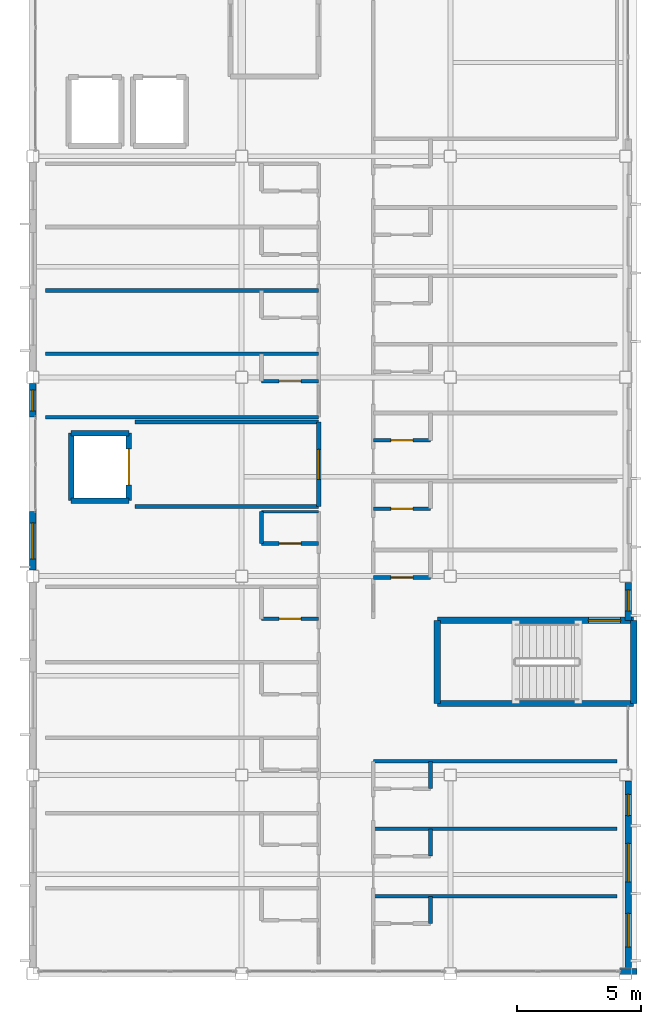
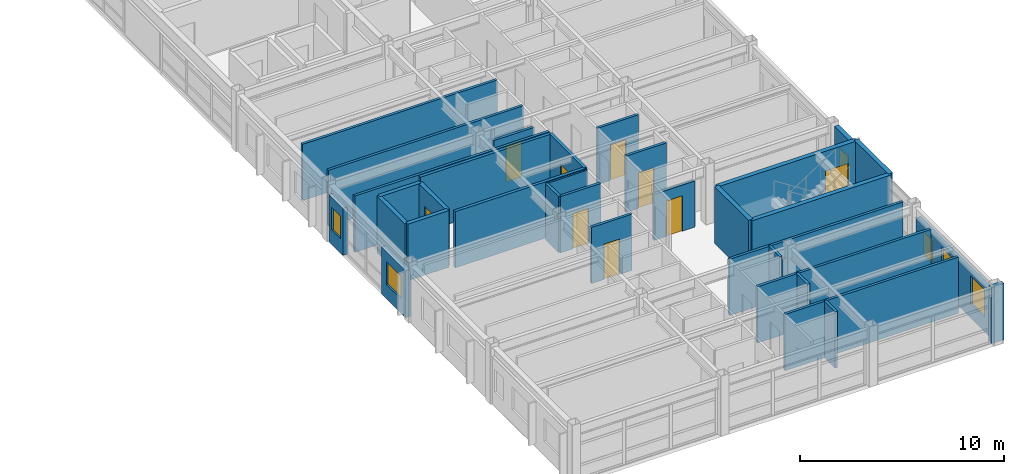
# One storey, part 24 of 35: 33 walls, 9 doors, 6 windows, 15 openings.
"""IFC4 building model written with IfcOpenShell, lengths in metres."""

from ifc_helpers import new_model, si_unit, direction, frame, frame_2d, origin, place, context, subcontext, project, spatial, rectangle, extrude, material, layer, layer_set, type_object, element, fill, save


model = new_model("IFC4")

# Units and contexts
model_context = context("Model", 3, precision=1e-05, world=origin(), true_north=direction((0.0, 1.0)))
body_context = subcontext(model_context, "Body", "Model", "MODEL_VIEW")
ifc_project = project(units=[si_unit("LENGTHUNIT", "METRE"), si_unit("AREAUNIT", "SQUARE_METRE"), si_unit("VOLUMEUNIT", "CUBIC_METRE"), si_unit("PLANEANGLEUNIT", "RADIAN"), si_unit("MASSUNIT", "GRAM", prefix="KILO")], contexts=[model_context])

# Site, building, storey
site_placement = place(None, origin())
site = spatial("IfcSite", under=ifc_project, at=site_placement, CompositionType="ELEMENT")
building_placement = place(site_placement, origin())
building = spatial("IfcBuilding", under=site, at=building_placement, Name="Kazehara Bluff Congress Hotel", CompositionType="ELEMENT")
storey_placement = place(building_placement, frame((0.0, 0.0, 35.39990234375)))
storey = spatial("IfcBuildingStorey", under=building, at=storey_placement, Name="L08", CompositionType="ELEMENT", Elevation=35.39990234375)

# Walls
ifc_material_1 = material(Name="Concrete C40/50", Category="concrete")
ifc_layer_1 = layer(ifc_material_1, 0.25)
ifc_layer_set_1 = layer_set([ifc_layer_1], Name="Concrete C40/50")
wall_type_1 = type_object("IfcWallType", Name="TP-CW-RC", PredefinedType="SHEAR", material=ifc_layer_set_1)
for number, where, z_axis, x_axis, name in (
    (1, (167.875, 22.22509765625, 0.0), (0.0, 0.0, 1.0), (0.0, -1.0, 0.0), "L08 ST-10 core wall near"),
    (2, (159.97509765625, 18.875, 0.0), (0.0, 0.0, 1.0), (0.0, 1.0, 0.0), "L08 ST-10 core wall far"),
):
    element("IfcWall", number, at=place(storey_placement, frame(where, z_axis=z_axis, x_axis=x_axis)), inside=storey, type_object=wall_type_1, Name=name, PredefinedType="SHEAR", context=body_context, shape_type="SweptSolid", body=[
        extrude(rectangle(XDim=3.35009765625, YDim=0.25, at=frame_2d((1.675048828125, 0.0))), origin(), (0.0, 0.0, 1.0), 3.380126953125),
    ])

# Wall, opening, door
wall_1_placement = place(storey_placement, frame((159.97509765625, 22.22509765625, 0.0), z_axis=(0.0, 0.0, 1.0), x_axis=(1.0, 0.0, 0.0)))
wall_1 = element("IfcWall", 3, at=wall_1_placement, inside=storey, type_object=wall_type_1, Name="L08 ST-10 core wall left", PredefinedType="SHEAR", context=body_context, shape_type="SweptSolid", body=[
    extrude(rectangle(XDim=7.89990234375, YDim=0.25, at=frame_2d((3.949951171875, 0.0))), origin(), (0.0, 0.0, 1.0), 3.380126953125),
])
opening_1_placement = place(wall_1_placement, frame((6.074951171875, 0.0, 0.0)))
opening_1 = element("IfcOpeningElement", 4, at=opening_1_placement, cuts=wall_1, Name="Opening FD-01", PredefinedType="OPENING", context=body_context, shape_type="SweptSolid", body=[
    extrude(rectangle(XDim=1.300048828125, YDim=2.199951171875, at=frame_2d((0.64990234375, 1.10009765625))), frame((0.0, 0.135009765625, 0.0), z_axis=(0.0, -1.0, 0.0), x_axis=(1.0, 0.0, 0.0)), (0.0, 0.0, 1.0), 0.27001953125),
])
ifc_material_2 = material(Name="Fire-rated painted steel leaf", Category="steel")
door_type_1 = type_object("IfcDoorType", Name="TP-FD-01", OperationType="NOTDEFINED", PredefinedType="DOOR", material=ifc_material_2)
door_1_placement = place(opening_1_placement, origin())
door_1 = element("IfcDoor", 5, at=door_1_placement, inside=storey, type_object=door_type_1, Name="L08 ST-10 fire stair door", OperationType="SINGLE_SWING_RIGHT", OverallHeight=2.199951171875, OverallWidth=1.300048828125, PredefinedType="DOOR", context=body_context, shape_type="SweptSolid", body=[
    extrude(rectangle(XDim=1.300048828125, YDim=2.199951171875, at=frame_2d((0.64990234375, 1.10009765625))), frame((0.0, 0.02490234375, 0.0), z_axis=(0.0, -1.0, 0.0), x_axis=(1.0, 0.0, 0.0)), (0.0, 0.0, 1.0), 0.050048828125),
])
fill(opening_1, door_1)

# Walls
wall_2_placement = place(storey_placement, frame((167.875, 18.875, 0.0), z_axis=(0.0, 0.0, 1.0), x_axis=(-1.0, 0.0, 0.0)))
element("IfcWall", 6, at=wall_2_placement, inside=storey, type_object=wall_type_1, Name="L08 ST-10 core wall right", PredefinedType="SHEAR", context=body_context, shape_type="SweptSolid", body=[
    extrude(rectangle(XDim=7.89990234375, YDim=0.25, at=frame_2d((3.949951171875, 0.0))), origin(), (0.0, 0.0, 1.0), 3.380126953125),
])
ifc_material_3 = material(Name="Precast concrete C40/50", Category="concrete")
ifc_layer_2 = layer(ifc_material_3, 0.239990234375)
ifc_layer_set_2 = layer_set([ifc_layer_2], Name="Precast concrete C40/50")
wall_type_2 = type_object("IfcWallType", Name="TP-EW-240", PredefinedType="SOLIDWALL", material=ifc_layer_set_2)
wall_3_placement = place(storey_placement, frame((168.0, 8.10009765625, 0.0), z_axis=(0.0, 0.0, 1.0), x_axis=(-1.0, 0.0, 0.0)))
element("IfcWall", 7, at=wall_3_placement, inside=storey, type_object=wall_type_2, Name="L08 V5 perimeter spandrel pier 749", PredefinedType="SOLIDWALL", context=body_context, shape_type="SweptSolid", body=[
    extrude(rectangle(XDim=0.699951171875, YDim=0.239990234375, at=frame_2d((0.35009765625, 0.0))), origin(), (0.0, 0.0, 1.0), 3.364990234375),
])

# Wall, openings, windows
ifc_material_4 = material(Name="Precast concrete C40/50", Category="concrete")
ifc_layer_3 = layer(ifc_material_4, 0.260009765625)
ifc_layer_set_3 = layer_set([ifc_layer_3], Name="Precast concrete C40/50")
wall_type_3 = type_object("IfcWallType", Name="TP-EW-260", PredefinedType="SOLIDWALL", material=ifc_layer_set_3)
wall_4_placement = place(storey_placement, frame((167.64990234375, 15.75, 0.0), z_axis=(0.0, 0.0, 1.0), x_axis=(0.0, -1.0, 0.0)))
wall_4 = element("IfcWall", 8, at=wall_4_placement, inside=storey, type_object=wall_type_3, Name="L08 hotel facade panel 109", PredefinedType="SOLIDWALL", context=body_context, shape_type="SweptSolid", body=[
    extrude(rectangle(XDim=7.5, YDim=0.260009765625, at=frame_2d((3.75, 0.0))), origin(), (0.0, 0.0, 1.0), 2.755126953125),
])
opening_2_placement = place(wall_4_placement, frame((5.320068359375, 0.0, 0.85009765625)))
opening_2 = element("IfcOpeningElement", 9, at=opening_2_placement, cuts=wall_4, Name="Opening WN-13", PredefinedType="OPENING", context=body_context, shape_type="SweptSolid", body=[
    extrude(rectangle(XDim=1.35009765625, YDim=1.64990234375, at=frame_2d((0.675048828125, 0.824951171875))), frame((0.0, 0.139892578125, 0.0), z_axis=(0.0, -1.0, 0.0), x_axis=(1.0, 0.0, 0.0)), (0.0, 0.0, 1.0), 0.280029296875),
])
opening_3_placement = place(wall_4_placement, frame((2.5, 0.0, 0.85009765625)))
opening_3 = element("IfcOpeningElement", 10, at=opening_3_placement, cuts=wall_4, Name="Opening WN-23", PredefinedType="OPENING", context=body_context, shape_type="SweptSolid", body=[
    extrude(rectangle(XDim=1.550048828125, YDim=1.64990234375, at=frame_2d((0.77490234375, 0.824951171875))), frame((0.0, 0.139892578125, 0.0), z_axis=(0.0, -1.0, 0.0), x_axis=(1.0, 0.0, 0.0)), (0.0, 0.0, 1.0), 0.280029296875),
])
opening_4_placement = place(wall_4_placement, frame((0.530029296875, 0.0, 0.85009765625)))
opening_4 = element("IfcOpeningElement", 11, at=opening_4_placement, cuts=wall_4, Name="Opening WN-55", PredefinedType="OPENING", context=body_context, shape_type="SweptSolid", body=[
    extrude(rectangle(XDim=0.85009765625, YDim=1.35009765625, at=frame_2d((0.425048828125, 0.675048828125))), frame((0.0, 0.139892578125, 0.0), z_axis=(0.0, -1.0, 0.0), x_axis=(1.0, 0.0, 0.0)), (0.0, 0.0, 1.0), 0.280029296875),
])
ifc_material_5 = material(Name="Insulated low-E double glazing", Category="glass")
window_type_1 = type_object("IfcWindowType", Name="TP-WN-13", PartitioningType="SINGLE_PANEL", PredefinedType="WINDOW", material=ifc_material_5)
window_1_placement = place(opening_2_placement, origin())
window_1 = element("IfcWindow", 12, at=window_1_placement, inside=storey, type_object=window_type_1, Name="L08 guestroom window WN-13 209", OverallHeight=1.64990234375, OverallWidth=1.35009765625, PartitioningType="SINGLE_PANEL", PredefinedType="WINDOW", context=body_context, shape_type="SweptSolid", body=[
    extrude(rectangle(XDim=1.35009765625, YDim=1.64990234375, at=frame_2d((0.675048828125, 0.824951171875))), frame((0.0, 0.030029296875, 0.0), z_axis=(0.0, -1.0, 0.0), x_axis=(1.0, 0.0, 0.0)), (0.0, 0.0, 1.0), 0.06005859375),
])
fill(opening_2, window_1)
ifc_material_6 = material(Name="Insulated low-E double glazing", Category="glass")
window_type_2 = type_object("IfcWindowType", Name="TP-WN-23", PartitioningType="SINGLE_PANEL", PredefinedType="WINDOW", material=ifc_material_6)
window_2_placement = place(opening_3_placement, origin())
window_2 = element("IfcWindow", 13, at=window_2_placement, inside=storey, type_object=window_type_2, Name="L08 guestroom window WN-23 210", OverallHeight=1.64990234375, OverallWidth=1.550048828125, PartitioningType="SINGLE_PANEL", PredefinedType="WINDOW", context=body_context, shape_type="SweptSolid", body=[
    extrude(rectangle(XDim=1.550048828125, YDim=1.64990234375, at=frame_2d((0.77490234375, 0.824951171875))), frame((0.0, 0.030029296875, 0.0), z_axis=(0.0, -1.0, 0.0), x_axis=(1.0, 0.0, 0.0)), (0.0, 0.0, 1.0), 0.06005859375),
])
fill(opening_3, window_2)
ifc_material_7 = material(Name="Insulated low-E double glazing", Category="glass")
window_type_3 = type_object("IfcWindowType", Name="TP-WN-55", PartitioningType="SINGLE_PANEL", PredefinedType="WINDOW", material=ifc_material_7)
window_3_placement = place(opening_4_placement, origin())
window_3 = element("IfcWindow", 14, at=window_3_placement, inside=storey, type_object=window_type_3, Name="L08 guestroom window WN-55 211", OverallHeight=1.35009765625, OverallWidth=0.85009765625, PartitioningType="SINGLE_PANEL", PredefinedType="WINDOW", context=body_context, shape_type="SweptSolid", body=[
    extrude(rectangle(XDim=0.85009765625, YDim=1.35009765625, at=frame_2d((0.425048828125, 0.675048828125))), frame((0.0, 0.030029296875, 0.0), z_axis=(0.0, -1.0, 0.0), x_axis=(1.0, 0.0, 0.0)), (0.0, 0.0, 1.0), 0.06005859375),
])
fill(opening_4, window_3)

# Wall, opening, window
wall_5_placement = place(storey_placement, frame((167.64990234375, 23.75, 0.0), z_axis=(0.0, 0.0, 1.0), x_axis=(0.0, -1.0, 0.0)))
wall_5 = element("IfcWall", 15, at=wall_5_placement, inside=storey, type_object=wall_type_3, Name="L08 hotel facade panel 110", PredefinedType="SOLIDWALL", context=body_context, shape_type="SweptSolid", body=[
    extrude(rectangle(XDim=1.52490234375, YDim=0.260009765625, at=frame_2d((0.762451171875, 0.0))), origin(), (0.0, 0.0, 1.0), 3.364990234375),
])
opening_5_placement = place(wall_5_placement, frame((0.300048828125, 0.0, 0.85009765625)))
opening_5 = element("IfcOpeningElement", 16, at=opening_5_placement, cuts=wall_5, Name="Opening WN-55", PredefinedType="OPENING", context=body_context, shape_type="SweptSolid", body=[
    extrude(rectangle(XDim=0.85009765625, YDim=1.35009765625, at=frame_2d((0.425048828125, 0.675048828125))), frame((0.0, 0.139892578125, 0.0), z_axis=(0.0, -1.0, 0.0), x_axis=(1.0, 0.0, 0.0)), (0.0, 0.0, 1.0), 0.280029296875),
])
window_4_placement = place(opening_5_placement, origin())
window_4 = element("IfcWindow", 17, at=window_4_placement, inside=storey, type_object=window_type_3, Name="L08 guestroom window WN-55 212", OverallHeight=1.35009765625, OverallWidth=0.85009765625, PartitioningType="SINGLE_PANEL", PredefinedType="WINDOW", context=body_context, shape_type="SweptSolid", body=[
    extrude(rectangle(XDim=0.85009765625, YDim=1.35009765625, at=frame_2d((0.425048828125, 0.675048828125))), frame((0.0, 0.030029296875, 0.0), z_axis=(0.0, -1.0, 0.0), x_axis=(1.0, 0.0, 0.0)), (0.0, 0.0, 1.0), 0.06005859375),
])
fill(opening_5, window_4)

wall_6_placement = place(storey_placement, frame((143.699951171875, 24.25, 0.0), z_axis=(0.0, 0.0, 1.0), x_axis=(0.0, 1.0, 0.0)))
wall_6 = element("IfcWall", 18, at=wall_6_placement, inside=storey, type_object=wall_type_3, Name="L08 hotel facade panel 122", PredefinedType="SOLIDWALL", context=body_context, shape_type="SweptSolid", body=[
    extrude(rectangle(XDim=2.35009765625, YDim=0.260009765625, at=frame_2d((1.175048828125, 0.0))), origin(), (0.0, 0.0, 1.0), 2.80517578125),
])
opening_6_placement = place(wall_6_placement, frame((0.449951171875, 0.0, 0.85009765625)))
opening_6 = element("IfcOpeningElement", 19, at=opening_6_placement, cuts=wall_6, Name="Opening WN-16", PredefinedType="OPENING", context=body_context, shape_type="SweptSolid", body=[
    extrude(rectangle(XDim=1.449951171875, YDim=1.35009765625, at=frame_2d((0.72509765625, 0.675048828125))), frame((0.0, 0.139892578125, 0.0), z_axis=(0.0, -1.0, 0.0), x_axis=(1.0, 0.0, 0.0)), (0.0, 0.0, 1.0), 0.280029296875),
])
ifc_material_8 = material(Name="Insulated low-E double glazing", Category="glass")
window_type_4 = type_object("IfcWindowType", Name="TP-WN-16", PartitioningType="SINGLE_PANEL", PredefinedType="WINDOW", material=ifc_material_8)
window_5_placement = place(opening_6_placement, origin())
window_5 = element("IfcWindow", 20, at=window_5_placement, inside=storey, type_object=window_type_4, Name="L08 guestroom window WN-16 237", OverallHeight=1.35009765625, OverallWidth=1.449951171875, PartitioningType="SINGLE_PANEL", PredefinedType="WINDOW", context=body_context, shape_type="SweptSolid", body=[
    extrude(rectangle(XDim=1.449951171875, YDim=1.35009765625, at=frame_2d((0.72509765625, 0.675048828125))), frame((0.0, 0.030029296875, 0.0), z_axis=(0.0, -1.0, 0.0), x_axis=(1.0, 0.0, 0.0)), (0.0, 0.0, 1.0), 0.06005859375),
])
fill(opening_6, window_5)

wall_7_placement = place(storey_placement, frame((143.699951171875, 30.39990234375, 0.0), z_axis=(0.0, 0.0, 1.0), x_axis=(0.0, 1.0, 0.0)))
wall_7 = element("IfcWall", 21, at=wall_7_placement, inside=storey, type_object=wall_type_3, Name="L08 hotel facade panel 123", PredefinedType="SOLIDWALL", context=body_context, shape_type="SweptSolid", body=[
    extrude(rectangle(XDim=1.35009765625, YDim=0.260009765625, at=frame_2d((0.675048828125, 0.0))), origin(), (0.0, 0.0, 1.0), 2.80517578125),
])
opening_7_placement = place(wall_7_placement, frame((0.25, 0.0, 0.85009765625)))
opening_7 = element("IfcOpeningElement", 22, at=opening_7_placement, cuts=wall_7, Name="Opening WN-55", PredefinedType="OPENING", context=body_context, shape_type="SweptSolid", body=[
    extrude(rectangle(XDim=0.85009765625, YDim=1.35009765625, at=frame_2d((0.425048828125, 0.675048828125))), frame((0.0, 0.139892578125, 0.0), z_axis=(0.0, -1.0, 0.0), x_axis=(1.0, 0.0, 0.0)), (0.0, 0.0, 1.0), 0.280029296875),
])
window_6_placement = place(opening_7_placement, origin())
window_6 = element("IfcWindow", 23, at=window_6_placement, inside=storey, type_object=window_type_3, Name="L08 guestroom window WN-55 238", OverallHeight=1.35009765625, OverallWidth=0.85009765625, PartitioningType="SINGLE_PANEL", PredefinedType="WINDOW", context=body_context, shape_type="SweptSolid", body=[
    extrude(rectangle(XDim=0.85009765625, YDim=1.35009765625, at=frame_2d((0.425048828125, 0.675048828125))), frame((0.0, 0.030029296875, 0.0), z_axis=(0.0, -1.0, 0.0), x_axis=(1.0, 0.0, 0.0)), (0.0, 0.0, 1.0), 0.06005859375),
])
fill(opening_7, window_6)

# Walls
ifc_material_9 = material(Name="Fire-rated gypsum board stud partition")
ifc_layer_4 = layer(ifc_material_9, 0.094970703125)
ifc_layer_set_4 = layer_set([ifc_layer_4], Name="Fire-rated gypsum board stud partition")
wall_type_4 = type_object("IfcWallType", Name="TP-PT-095", PredefinedType="PARTITIONING", material=ifc_layer_set_4)
wall_8_placement = place(storey_placement, frame((152.89990234375, 26.60009765625, 0.0), z_axis=(0.0, 0.0, 1.0), x_axis=(1.0, 0.0, 0.0)))
element("IfcWall", 24, at=wall_8_placement, inside=storey, type_object=wall_type_4, Name="L08 partition PT-095 1030", PredefinedType="PARTITIONING", context=body_context, shape_type="SweptSolid", body=[
    extrude(rectangle(XDim=2.300048828125, YDim=0.094970703125, at=frame_2d((1.14990234375, 0.0))), origin(), (0.0, 0.0, 1.0), 3.364990234375),
])
ifc_material_10 = material(Name="Fire-rated gypsum board stud partition")
ifc_layer_5 = layer(ifc_material_10, 0.14990234375)
ifc_layer_set_5 = layer_set([ifc_layer_5], Name="Fire-rated gypsum board stud partition")
wall_type_5 = type_object("IfcWallType", Name="TP-PT-150", PredefinedType="PARTITIONING", material=ifc_layer_set_5)
for number, where, z_axis, x_axis, name in (
    (25, (157.39990234375, 11.1201171875, 0.0), (0.0, 0.0, 1.0), (1.0, 0.0, 0.0), "L08 partition PT-150 1013"),
    (26, (157.39990234375, 13.840087890625, 0.0), (0.0, 0.0, 1.0), (1.0, 0.0, 0.0), "L08 partition PT-150 1017"),
    (27, (157.39990234375, 16.550048828125, 0.0), (0.0, 0.0, 1.0), (1.0, 0.0, 0.0), "L08 partition PT-150 1021"),
):
    element("IfcWall", number, at=place(storey_placement, frame(where, z_axis=z_axis, x_axis=x_axis)), inside=storey, type_object=wall_type_5, Name=name, PredefinedType="PARTITIONING", context=body_context, shape_type="SweptSolid", body=[
        extrude(rectangle(XDim=9.800048828125, YDim=0.14990234375, at=frame_2d((4.89990234375, 0.0))), origin(), (0.0, 0.0, 1.0), 3.364990234375),
    ])

# Wall, opening, door
wall_9_placement = place(storey_placement, frame((152.89990234375, 22.2900390625, 0.0), z_axis=(0.0, 0.0, 1.0), x_axis=(1.0, 0.0, 0.0)))
wall_9 = element("IfcWall", 28, at=wall_9_placement, inside=storey, type_object=wall_type_5, Name="L08 partition PT-150 1025", PredefinedType="PARTITIONING", context=body_context, shape_type="SweptSolid", body=[
    extrude(rectangle(XDim=2.300048828125, YDim=0.14990234375, at=frame_2d((1.14990234375, 0.0))), origin(), (0.0, 0.0, 1.0), 3.364990234375),
])
opening_8_placement = place(wall_9_placement, frame((0.7099609375, 0.0, 0.0)))
opening_8 = element("IfcOpeningElement", 29, at=opening_8_placement, cuts=wall_9, Name="Opening BD-02", PredefinedType="OPENING", context=body_context, shape_type="SweptSolid", body=[
    extrude(rectangle(XDim=0.8798828125, YDim=2.1201171875, at=frame_2d((0.43994140625, 1.06005859375))), frame((0.0, 0.0849609375, 0.0), z_axis=(0.0, -1.0, 0.0), x_axis=(1.0, 0.0, 0.0)), (0.0, 0.0, 1.0), 0.169921875),
])
ifc_material_11 = material(Name="Architectural oak veneer leaf")
door_type_2 = type_object("IfcDoorType", Name="TP-BD-02", OperationType="NOTDEFINED", PredefinedType="DOOR", material=ifc_material_11)
door_2_placement = place(opening_8_placement, origin())
door_2 = element("IfcDoor", 30, at=door_2_placement, inside=storey, type_object=door_type_2, Name="L08 En-suite Bathroom 213 door", OperationType="SINGLE_SWING_LEFT", OverallHeight=2.1201171875, OverallWidth=0.8798828125, PredefinedType="DOOR", context=body_context, shape_type="SweptSolid", body=[
    extrude(rectangle(XDim=0.8798828125, YDim=2.1201171875, at=frame_2d((0.43994140625, 1.06005859375))), frame((0.0, 0.02490234375, 0.0), z_axis=(0.0, -1.0, 0.0), x_axis=(1.0, 0.0, 0.0)), (0.0, 0.0, 1.0), 0.050048828125),
])
fill(opening_8, door_2)

wall_10_placement = place(storey_placement, frame((157.39990234375, 23.949951171875, 0.0), z_axis=(0.0, 0.0, 1.0), x_axis=(1.0, 0.0, 0.0)))
wall_10 = element("IfcWall", 31, at=wall_10_placement, inside=storey, type_object=wall_type_5, Name="L08 partition PT-150 1027", PredefinedType="PARTITIONING", context=body_context, shape_type="SweptSolid", body=[
    extrude(rectangle(XDim=2.300048828125, YDim=0.14990234375, at=frame_2d((1.14990234375, 0.0))), origin(), (0.0, 0.0, 1.0), 2.755126953125),
])
opening_9_placement = place(wall_10_placement, frame((0.7099609375, 0.0, 0.0)))
opening_9 = element("IfcOpeningElement", 32, at=opening_9_placement, cuts=wall_10, Name="Opening BD-02", PredefinedType="OPENING", context=body_context, shape_type="SweptSolid", body=[
    extrude(rectangle(XDim=0.8798828125, YDim=2.1201171875, at=frame_2d((0.43994140625, 1.06005859375))), frame((0.0, 0.0849609375, 0.0), z_axis=(0.0, -1.0, 0.0), x_axis=(1.0, 0.0, 0.0)), (0.0, 0.0, 1.0), 0.169921875),
])
door_3_placement = place(opening_9_placement, origin())
door_3 = element("IfcDoor", 33, at=door_3_placement, inside=storey, type_object=door_type_2, Name="L08 En-suite Bathroom 233 door", OperationType="SINGLE_SWING_LEFT", OverallHeight=2.1201171875, OverallWidth=0.8798828125, PredefinedType="DOOR", context=body_context, shape_type="SweptSolid", body=[
    extrude(rectangle(XDim=0.8798828125, YDim=2.1201171875, at=frame_2d((0.43994140625, 1.06005859375))), frame((0.0, 0.02490234375, 0.0), z_axis=(0.0, -1.0, 0.0), x_axis=(1.0, 0.0, 0.0)), (0.0, 0.0, 1.0), 0.050048828125),
])
fill(opening_9, door_3)

wall_11_placement = place(storey_placement, frame((152.89990234375, 25.320068359375, 0.0), z_axis=(0.0, 0.0, 1.0), x_axis=(1.0, 0.0, 0.0)))
wall_11 = element("IfcWall", 34, at=wall_11_placement, inside=storey, type_object=wall_type_5, Name="L08 partition PT-150 1029", PredefinedType="PARTITIONING", context=body_context, shape_type="SweptSolid", body=[
    extrude(rectangle(XDim=2.300048828125, YDim=0.14990234375, at=frame_2d((1.14990234375, 0.0))), origin(), (0.0, 0.0, 1.0), 3.364990234375),
])
opening_10_placement = place(wall_11_placement, frame((0.7099609375, 0.0, 0.0)))
opening_10 = element("IfcOpeningElement", 35, at=opening_10_placement, cuts=wall_11, Name="Opening BD-02", PredefinedType="OPENING", context=body_context, shape_type="SweptSolid", body=[
    extrude(rectangle(XDim=0.8798828125, YDim=2.1201171875, at=frame_2d((0.43994140625, 1.06005859375))), frame((0.0, 0.0849609375, 0.0), z_axis=(0.0, -1.0, 0.0), x_axis=(1.0, 0.0, 0.0)), (0.0, 0.0, 1.0), 0.169921875),
])
door_4_placement = place(opening_10_placement, origin())
door_4 = element("IfcDoor", 36, at=door_4_placement, inside=storey, type_object=door_type_2, Name="L08 En-suite Bathroom 214 door", OperationType="SINGLE_SWING_LEFT", OverallHeight=2.1201171875, OverallWidth=0.8798828125, PredefinedType="DOOR", context=body_context, shape_type="SweptSolid", body=[
    extrude(rectangle(XDim=0.8798828125, YDim=2.1201171875, at=frame_2d((0.43994140625, 1.06005859375))), frame((0.0, 0.02490234375, 0.0), z_axis=(0.0, -1.0, 0.0), x_axis=(1.0, 0.0, 0.0)), (0.0, 0.0, 1.0), 0.050048828125),
])
fill(opening_10, door_4)

wall_12_placement = place(storey_placement, frame((157.39990234375, 26.7099609375, 0.0), z_axis=(0.0, 0.0, 1.0), x_axis=(1.0, 0.0, 0.0)))
wall_12 = element("IfcWall", 37, at=wall_12_placement, inside=storey, type_object=wall_type_5, Name="L08 partition PT-150 1031", PredefinedType="PARTITIONING", context=body_context, shape_type="SweptSolid", body=[
    extrude(rectangle(XDim=2.300048828125, YDim=0.14990234375, at=frame_2d((1.14990234375, 0.0))), origin(), (0.0, 0.0, 1.0), 3.364990234375),
])
opening_11_placement = place(wall_12_placement, frame((0.7099609375, 0.0, 0.0)))
opening_11 = element("IfcOpeningElement", 38, at=opening_11_placement, cuts=wall_12, Name="Opening BD-02", PredefinedType="OPENING", context=body_context, shape_type="SweptSolid", body=[
    extrude(rectangle(XDim=0.8798828125, YDim=2.1201171875, at=frame_2d((0.43994140625, 1.06005859375))), frame((0.0, 0.0849609375, 0.0), z_axis=(0.0, -1.0, 0.0), x_axis=(1.0, 0.0, 0.0)), (0.0, 0.0, 1.0), 0.169921875),
])
door_5_placement = place(opening_11_placement, origin())
door_5 = element("IfcDoor", 39, at=door_5_placement, inside=storey, type_object=door_type_2, Name="L08 En-suite Bathroom 234 door", OperationType="SINGLE_SWING_LEFT", OverallHeight=2.1201171875, OverallWidth=0.8798828125, PredefinedType="DOOR", context=body_context, shape_type="SweptSolid", body=[
    extrude(rectangle(XDim=0.8798828125, YDim=2.1201171875, at=frame_2d((0.43994140625, 1.06005859375))), frame((0.0, 0.02490234375, 0.0), z_axis=(0.0, -1.0, 0.0), x_axis=(1.0, 0.0, 0.0)), (0.0, 0.0, 1.0), 0.050048828125),
])
fill(opening_11, door_5)

wall_13_placement = place(storey_placement, frame((157.39990234375, 29.469970703125, 0.0), z_axis=(0.0, 0.0, 1.0), x_axis=(1.0, 0.0, 0.0)))
wall_13 = element("IfcWall", 40, at=wall_13_placement, inside=storey, type_object=wall_type_5, Name="L08 partition PT-150 1034", PredefinedType="PARTITIONING", context=body_context, shape_type="SweptSolid", body=[
    extrude(rectangle(XDim=2.300048828125, YDim=0.14990234375, at=frame_2d((1.14990234375, 0.0))), origin(), (0.0, 0.0, 1.0), 3.364990234375),
])
opening_12_placement = place(wall_13_placement, frame((0.7099609375, 0.0, 0.0)))
opening_12 = element("IfcOpeningElement", 41, at=opening_12_placement, cuts=wall_13, Name="Opening BD-02", PredefinedType="OPENING", context=body_context, shape_type="SweptSolid", body=[
    extrude(rectangle(XDim=0.8798828125, YDim=2.1201171875, at=frame_2d((0.43994140625, 1.06005859375))), frame((0.0, 0.0849609375, 0.0), z_axis=(0.0, -1.0, 0.0), x_axis=(1.0, 0.0, 0.0)), (0.0, 0.0, 1.0), 0.169921875),
])
door_6_placement = place(opening_12_placement, origin())
door_6 = element("IfcDoor", 42, at=door_6_placement, inside=storey, type_object=door_type_2, Name="L08 En-suite Bathroom 235 door", OperationType="SINGLE_SWING_LEFT", OverallHeight=2.1201171875, OverallWidth=0.8798828125, PredefinedType="DOOR", context=body_context, shape_type="SweptSolid", body=[
    extrude(rectangle(XDim=0.8798828125, YDim=2.1201171875, at=frame_2d((0.43994140625, 1.06005859375))), frame((0.0, 0.02490234375, 0.0), z_axis=(0.0, -1.0, 0.0), x_axis=(1.0, 0.0, 0.0)), (0.0, 0.0, 1.0), 0.050048828125),
])
fill(opening_12, door_6)

# Wall
wall_14_placement = place(storey_placement, frame((144.199951171875, 30.39990234375, 0.0), z_axis=(0.0, 0.0, 1.0), x_axis=(1.0, 0.0, 0.0)))
element("IfcWall", 43, at=wall_14_placement, inside=storey, type_object=wall_type_5, Name="L08 partition PT-150 1036", PredefinedType="PARTITIONING", context=body_context, shape_type="SweptSolid", body=[
    extrude(rectangle(XDim=11.0, YDim=0.14990234375, at=frame_2d((5.5, 0.0))), origin(), (0.0, 0.0, 1.0), 3.364990234375),
])

# Wall, opening, door
wall_15_placement = place(storey_placement, frame((152.89990234375, 31.85009765625, 0.0), z_axis=(0.0, 0.0, 1.0), x_axis=(1.0, 0.0, 0.0)))
wall_15 = element("IfcWall", 44, at=wall_15_placement, inside=storey, type_object=wall_type_5, Name="L08 partition PT-150 1038", PredefinedType="PARTITIONING", context=body_context, shape_type="SweptSolid", body=[
    extrude(rectangle(XDim=2.300048828125, YDim=0.14990234375, at=frame_2d((1.14990234375, 0.0))), origin(), (0.0, 0.0, 1.0), 2.755126953125),
])
opening_13_placement = place(wall_15_placement, frame((0.7099609375, 0.0, 0.0)))
opening_13 = element("IfcOpeningElement", 45, at=opening_13_placement, cuts=wall_15, Name="Opening BD-02", PredefinedType="OPENING", context=body_context, shape_type="SweptSolid", body=[
    extrude(rectangle(XDim=0.8798828125, YDim=2.1201171875, at=frame_2d((0.43994140625, 1.06005859375))), frame((0.0, 0.0849609375, 0.0), z_axis=(0.0, -1.0, 0.0), x_axis=(1.0, 0.0, 0.0)), (0.0, 0.0, 1.0), 0.169921875),
])
door_7_placement = place(opening_13_placement, origin())
door_7 = element("IfcDoor", 46, at=door_7_placement, inside=storey, type_object=door_type_2, Name="L08 En-suite Bathroom 215 door", OperationType="SINGLE_SWING_LEFT", OverallHeight=2.1201171875, OverallWidth=0.8798828125, PredefinedType="DOOR", context=body_context, shape_type="SweptSolid", body=[
    extrude(rectangle(XDim=0.8798828125, YDim=2.1201171875, at=frame_2d((0.43994140625, 1.06005859375))), frame((0.0, 0.02490234375, 0.0), z_axis=(0.0, -1.0, 0.0), x_axis=(1.0, 0.0, 0.0)), (0.0, 0.0, 1.0), 0.050048828125),
])
fill(opening_13, door_7)

# Walls
for number, where, z_axis, x_axis, name in (
    (47, (144.199951171875, 32.949951171875, 0.0), (0.0, 0.0, 1.0), (1.0, 0.0, 0.0), "L08 partition PT-150 1040"),
    (48, (144.199951171875, 35.5, 0.0), (0.0, 0.0, 1.0), (1.0, 0.0, 0.0), "L08 partition PT-150 1044"),
):
    element("IfcWall", number, at=place(storey_placement, frame(where, z_axis=z_axis, x_axis=x_axis)), inside=storey, type_object=wall_type_5, Name=name, PredefinedType="PARTITIONING", context=body_context, shape_type="SweptSolid", body=[
        extrude(rectangle(XDim=11.0, YDim=0.14990234375, at=frame_2d((5.5, 0.0))), origin(), (0.0, 0.0, 1.0), 3.364990234375),
    ])
wall_16_placement = place(storey_placement, frame((152.89990234375, 25.31494140625, 0.0), z_axis=(0.0, 0.0, 1.0), x_axis=(0.0, 1.0, 0.0)))
element("IfcWall", 49, at=wall_16_placement, inside=storey, type_object=wall_type_5, Name="L08 partition PT-150 1116", PredefinedType="PARTITIONING", context=body_context, shape_type="SweptSolid", body=[
    extrude(rectangle(XDim=1.28515625, YDim=0.14990234375, at=frame_2d((0.642578125, 0.0))), origin(), (0.0, 0.0, 1.0), 3.364990234375),
])
wall_17_placement = place(storey_placement, frame((159.699951171875, 10.014892578125, 0.0), z_axis=(0.0, 0.0, 1.0), x_axis=(0.0, 1.0, 0.0)))
element("IfcWall", 50, at=wall_17_placement, inside=storey, type_object=wall_type_5, Name="L08 partition PT-150 1142", PredefinedType="PARTITIONING", context=body_context, shape_type="SweptSolid", body=[
    extrude(rectangle(XDim=1.10009765625, YDim=0.14990234375, at=frame_2d((0.550048828125, 0.0))), origin(), (0.0, 0.0, 1.0), 3.364990234375),
])
wall_18_placement = place(storey_placement, frame((159.699951171875, 12.735107421875, 0.0), z_axis=(0.0, 0.0, 1.0), x_axis=(0.0, 1.0, 0.0)))
element("IfcWall", 51, at=wall_18_placement, inside=storey, type_object=wall_type_5, Name="L08 partition PT-150 1143", PredefinedType="PARTITIONING", context=body_context, shape_type="SweptSolid", body=[
    extrude(rectangle(XDim=1.099853515625, YDim=0.14990234375, at=frame_2d((0.5498046875, 0.0))), origin(), (0.0, 0.0, 1.0), 3.364990234375),
])
wall_19_placement = place(storey_placement, frame((159.699951171875, 15.449951171875, 0.0), z_axis=(0.0, 0.0, 1.0), x_axis=(0.0, 1.0, 0.0)))
element("IfcWall", 52, at=wall_19_placement, inside=storey, type_object=wall_type_5, Name="L08 partition PT-150 1144", PredefinedType="PARTITIONING", context=body_context, shape_type="SweptSolid", body=[
    extrude(rectangle(XDim=1.10009765625, YDim=0.14990234375, at=frame_2d((0.550048828125, 0.0))), origin(), (0.0, 0.0, 1.0), 3.364990234375),
])
ifc_material_12 = material(Name="Fire-rated gypsum board stud partition")
ifc_layer_6 = layer(ifc_material_12, 0.169921875)
ifc_layer_set_6 = layer_set([ifc_layer_6], Name="Fire-rated gypsum board stud partition")
wall_type_6 = type_object("IfcWallType", Name="TP-PT-180", PredefinedType="PARTITIONING", material=ifc_layer_set_6)
for number, where, z_axis, x_axis, name in (
    (53, (147.800048828125, 26.800048828125, 0.0), (0.0, 0.0, 1.0), (1.0, 0.0, 0.0), "L08 partition PT-180 1032"),
    (54, (147.800048828125, 30.199951171875, 0.0), (0.0, 0.0, 1.0), (1.0, 0.0, 0.0), "L08 partition PT-180 1035"),
):
    element("IfcWall", number, at=place(storey_placement, frame(where, z_axis=z_axis, x_axis=x_axis)), inside=storey, type_object=wall_type_6, Name=name, PredefinedType="PARTITIONING", context=body_context, shape_type="SweptSolid", body=[
        extrude(rectangle(XDim=7.39990234375, YDim=0.169921875, at=frame_2d((3.699951171875, 0.0))), origin(), (0.0, 0.0, 1.0), 3.364990234375),
    ])

# Wall, opening, door
wall_20_placement = place(storey_placement, frame((155.199951171875, 26.800048828125, 0.0), z_axis=(0.0, 0.0, 1.0), x_axis=(0.0, 1.0, 0.0)))
wall_20 = element("IfcWall", 55, at=wall_20_placement, inside=storey, type_object=wall_type_6, Name="L08 partition PT-180 1133", PredefinedType="PARTITIONING", context=body_context, shape_type="SweptSolid", body=[
    extrude(rectangle(XDim=3.39990234375, YDim=0.169921875, at=frame_2d((1.699951171875, 0.0))), origin(), (0.0, 0.0, 1.0), 3.364990234375),
])
opening_14_placement = place(wall_20_placement, frame((1.10009765625, 0.0, 0.0)))
opening_14 = element("IfcOpeningElement", 56, at=opening_14_placement, cuts=wall_20, Name="Opening FD-02", PredefinedType="OPENING", context=body_context, shape_type="SweptSolid", body=[
    extrude(rectangle(XDim=1.199951171875, YDim=2.199951171875, at=frame_2d((0.60009765625, 1.10009765625))), frame((0.0, 0.094970703125, 0.0), z_axis=(0.0, -1.0, 0.0), x_axis=(1.0, 0.0, 0.0)), (0.0, 0.0, 1.0), 0.18994140625),
])
ifc_material_13 = material(Name="Fire-rated painted steel leaf", Category="steel")
door_type_3 = type_object("IfcDoorType", Name="TP-FD-02", OperationType="NOTDEFINED", PredefinedType="DOOR", material=ifc_material_13)
door_8_placement = place(opening_14_placement, origin())
door_8 = element("IfcDoor", 57, at=door_8_placement, inside=storey, type_object=door_type_3, Name="L08 L08 Service Lift Lobby door", OperationType="SINGLE_SWING_RIGHT", OverallHeight=2.199951171875, OverallWidth=1.199951171875, PredefinedType="DOOR", context=body_context, shape_type="SweptSolid", body=[
    extrude(rectangle(XDim=1.199951171875, YDim=2.199951171875, at=frame_2d((0.60009765625, 1.10009765625))), frame((0.0, 0.02490234375, 0.0), z_axis=(0.0, -1.0, 0.0), x_axis=(1.0, 0.0, 0.0)), (0.0, 0.0, 1.0), 0.050048828125),
])
fill(opening_14, door_8)

# Walls
ifc_material_14 = material(Name="Concrete C40/50", Category="concrete")
ifc_layer_7 = layer(ifc_material_14, 0.219970703125)
ifc_layer_set_7 = layer_set([ifc_layer_7], Name="Concrete C40/50")
wall_type_7 = type_object("IfcWallType", Name="TP-SW-RC", PredefinedType="SHEAR", material=ifc_layer_set_7)
for number, where, z_axis, x_axis, name in (
    (58, (145.239990234375, 29.760009765625, 0.0), (0.0, 0.0, 1.0), (1.0, 0.0, 0.0), "L08 EL-S3 lift shaft wall +Y"),
    (59, (145.239990234375, 27.0400390625, 0.0), (0.0, 0.0, 1.0), (1.0, 0.0, 0.0), "L08 EL-S3 lift shaft wall -Y"),
):
    element("IfcWall", number, at=place(storey_placement, frame(where, z_axis=z_axis, x_axis=x_axis)), inside=storey, type_object=wall_type_7, Name=name, PredefinedType="SHEAR", context=body_context, shape_type="SweptSolid", body=[
        extrude(rectangle(XDim=2.320068359375, YDim=0.219970703125, at=frame_2d((1.16015625, 0.0))), origin(), (0.0, 0.0, 1.0), 3.380126953125),
    ])

# Wall, opening, door
wall_21_placement = place(storey_placement, frame((147.56005859375, 27.0400390625, 0.0), z_axis=(0.0, 0.0, 1.0), x_axis=(0.0, 1.0, 0.0)))
wall_21 = element("IfcWall", 60, at=wall_21_placement, inside=storey, type_object=wall_type_7, Name="L08 EL-S3 lift shaft wall +X", PredefinedType="SHEAR", context=body_context, shape_type="SweptSolid", body=[
    extrude(rectangle(XDim=2.719970703125, YDim=0.219970703125, at=frame_2d((1.35986328125, 0.0))), origin(), (0.0, 0.0, 1.0), 3.380126953125),
])
opening_15_placement = place(wall_21_placement, frame((0.635009765625, 0.0, 0.0)))
opening_15 = element("IfcOpeningElement", 61, at=opening_15_placement, cuts=wall_21, Name="Opening LD-04", PredefinedType="OPENING", context=body_context, shape_type="SweptSolid", body=[
    extrude(rectangle(XDim=1.449951171875, YDim=2.35009765625, at=frame_2d((0.72509765625, 1.175048828125))), frame((0.0, 0.119873046875, 0.0), z_axis=(0.0, -1.0, 0.0), x_axis=(1.0, 0.0, 0.0)), (0.0, 0.0, 1.0), 0.239990234375),
])
ifc_material_15 = material(Name="Fire-rated painted steel leaf", Category="steel")
door_type_4 = type_object("IfcDoorType", Name="TP-LD-04", OperationType="SLIDING_TO_LEFT", PredefinedType="DOOR", material=ifc_material_15)
door_9_placement = place(opening_15_placement, origin())
door_9 = element("IfcDoor", 62, at=door_9_placement, inside=storey, type_object=door_type_4, Name="L08 EL-S3 elevator landing door", OperationType="SLIDING_TO_LEFT", OverallHeight=2.35009765625, OverallWidth=1.449951171875, PredefinedType="DOOR", context=body_context, shape_type="SweptSolid", body=[
    extrude(rectangle(XDim=1.449951171875, YDim=2.35009765625, at=frame_2d((0.72509765625, 1.175048828125))), frame((0.0, 0.02490234375, 0.0), z_axis=(0.0, -1.0, 0.0), x_axis=(1.0, 0.0, 0.0)), (0.0, 0.0, 1.0), 0.050048828125),
])
fill(opening_15, door_9)

# Wall
wall_22_placement = place(storey_placement, frame((145.239990234375, 27.0400390625, 0.0), z_axis=(0.0, 0.0, 1.0), x_axis=(0.0, 1.0, 0.0)))
element("IfcWall", 63, at=wall_22_placement, inside=storey, type_object=wall_type_7, Name="L08 EL-S3 lift shaft wall -X", PredefinedType="SHEAR", context=body_context, shape_type="SweptSolid", body=[
    extrude(rectangle(XDim=2.719970703125, YDim=0.219970703125, at=frame_2d((1.35986328125, 0.0))), origin(), (0.0, 0.0, 1.0), 3.380126953125),
])

save(model, "model.ifc")
